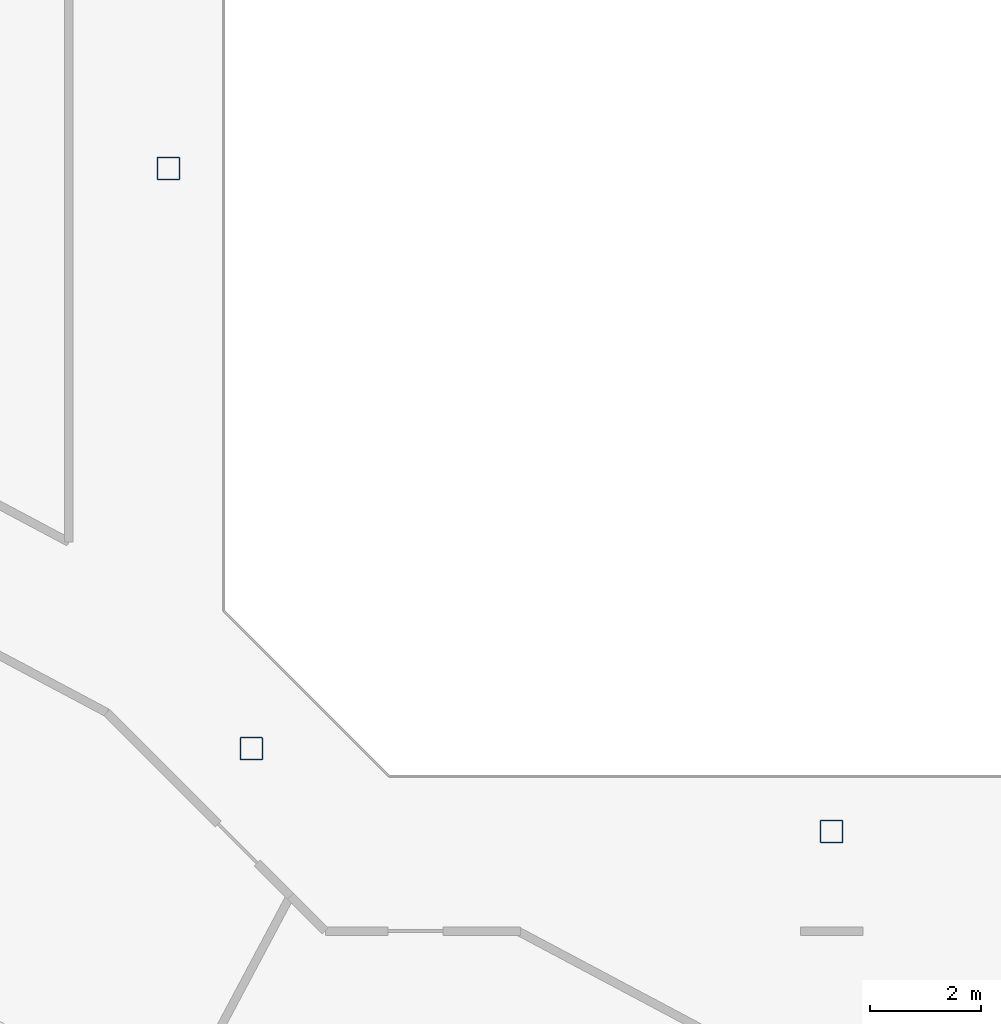
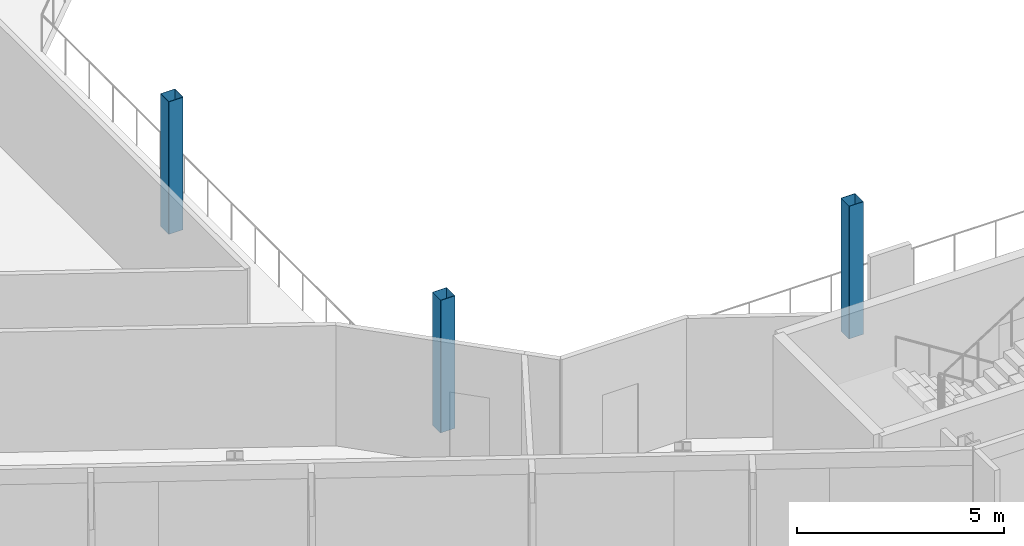
# One storey, part 2 of 25: 3 columns.
"""IFC4 building model written with IfcOpenShell, lengths in metres."""

from ifc_helpers import new_model, si_unit, direction, frame, origin, origin_2d, place, context, subcontext, project, spatial, hollow_rectangle, extrude, material, material_profile, profile_set, type_object, element, save


model = new_model("IFC4")

# Units and contexts
model_context = context("Model", 3, precision=1e-05, world=origin(), true_north=direction((0.0, 1.0)))
body_context = subcontext(model_context, "Body", "Model", "MODEL_VIEW")
ifc_project = project(units=[si_unit("LENGTHUNIT", "METRE"), si_unit("AREAUNIT", "SQUARE_METRE"), si_unit("VOLUMEUNIT", "CUBIC_METRE"), si_unit("PLANEANGLEUNIT", "RADIAN"), si_unit("MASSUNIT", "GRAM", prefix="KILO")], contexts=[model_context])

# Site, building, storey
site_placement = place(None, origin())
site = spatial("IfcSite", under=ifc_project, at=site_placement, CompositionType="ELEMENT")
building_placement = place(site_placement, origin())
building = spatial("IfcBuilding", under=site, at=building_placement, Name="Cormorant Relay Tower", CompositionType="ELEMENT")
storey_placement = place(building_placement, frame((0.0, 0.0, 289.199951171875)))
storey = spatial("IfcBuildingStorey", under=building, at=storey_placement, Name="L65", CompositionType="ELEMENT", Elevation=289.199951171875)

# Columns
ifc_material = material(Name="Steel ASTM A500 Grade C (Fy 345 MPa)", Category="steel")
ifc_material_profile = material_profile(ifc_material, hollow_rectangle(XDim=0.406494140625, YDim=0.406494140625, WallThickness=0.0087890625, InnerFilletRadius=0.00439453125, OuterFilletRadius=0.01318359375, at=origin_2d()), Name="HSS406x406x9")
ifc_profile_set = profile_set([ifc_material_profile], Name="Steel ASTM A500 Grade C (Fy 345 MPa)")
column_type = type_object("IfcColumnType", Name="Column HSS406x406x9", PredefinedType="COLUMN", material=ifc_profile_set)
for number, where, z_axis, x_axis, name in (
    (1, (0.0, -12.0, 0.0), (0.0, 0.0, 1.0), (1.0, 0.0, 0.0), "Column L65-007"),
    (2, (-10.5, -10.5, 0.0), (0.0, 0.0, 1.0), (1.0, 0.0, 0.0), "Column L65-009"),
    (3, (-12.0, 0.0, 0.0), (0.0, 0.0, 1.0), (1.0, 0.0, 0.0), "Column L65-015"),
):
    element("IfcColumn", number, at=place(storey_placement, frame(where, z_axis=z_axis, x_axis=x_axis)), inside=storey, type_object=column_type, Name=name, PredefinedType="COLUMN", context=body_context, shape_type="SweptSolid", body=[
        extrude(hollow_rectangle(XDim=0.406494140625, YDim=0.406494140625, WallThickness=0.0087890625, InnerFilletRadius=0.00439453125, OuterFilletRadius=0.01318359375, at=origin_2d()), origin(), (0.0, 0.0, 1.0), 3.900146484375),
    ])

save(model, "model.ifc")
